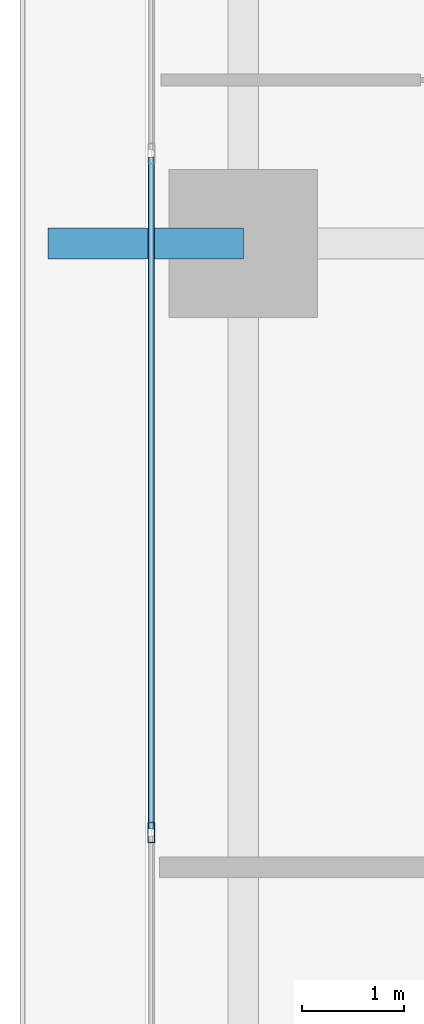
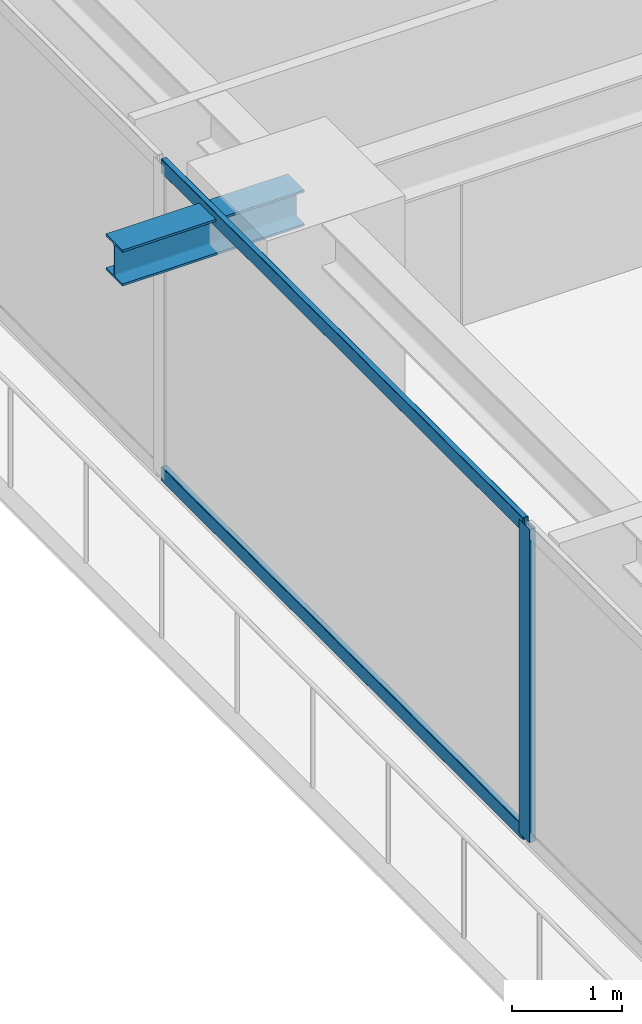
# One storey, part 7 of 39: 3 members, 1 beam, 1 element without a shape of its own.
"""IFC4 building model written with IfcOpenShell, lengths in metres."""

from ifc_helpers import new_model, si_unit, direction, frame, origin, origin_2d, place, context, subcontext, project, spatial, hollow_rectangle, i_section, extrude, source, transform, mapped, material, layer, layer_set, material_profile, profile_set, type_object, element, aggregate, save


model = new_model("IFC4")

# Units and contexts
model_context = context("Model", 3, precision=1e-05, world=origin(), true_north=direction((0.0, 1.0)))
body_context = subcontext(model_context, "Body", "Model", "MODEL_VIEW")
ifc_project = project(units=[si_unit("LENGTHUNIT", "METRE"), si_unit("AREAUNIT", "SQUARE_METRE"), si_unit("VOLUMEUNIT", "CUBIC_METRE"), si_unit("PLANEANGLEUNIT", "RADIAN"), si_unit("MASSUNIT", "GRAM", prefix="KILO")], contexts=[model_context])

# Site, building, storey
site_placement = place(None, origin())
site = spatial("IfcSite", under=ifc_project, at=site_placement, CompositionType="ELEMENT")
building_placement = place(site_placement, origin())
building = spatial("IfcBuilding", under=site, at=building_placement, Name="Serunith Strait Residences", CompositionType="ELEMENT")
storey_placement = place(building_placement, frame((0.0, 0.0, 49.199951171875)))
storey = spatial("IfcBuildingStorey", under=building, at=storey_placement, Name="L11", CompositionType="ELEMENT", Elevation=49.199951171875)

# Beam
ifc_material_1 = material(Name="Steel S355J2", Category="steel")
ifc_material_profile_1 = material_profile(ifc_material_1, i_section(OverallWidth=0.300048828125, OverallDepth=0.39990234375, WebThickness=0.013427734375, FlangeThickness=0.02392578125, FilletRadius=0.027099609375, at=origin_2d()), Name="HEB 400")
ifc_profile_set_1 = profile_set([ifc_material_profile_1], Name="Steel S355J2")
beam_type = type_object("IfcBeamType", Name="BM-HEB400", PredefinedType="BEAM", material=ifc_profile_set_1)
shared_shape_1 = source(origin(), body_context, "Body", "SweptSolid", [
    extrude(i_section(OverallWidth=0.300048828125, OverallDepth=0.39990234375, WebThickness=0.013427734375, FlangeThickness=0.02392578125, FilletRadius=0.027099609375, at=origin_2d()), origin(), (0.0, 0.0, 1.0), 1.909912109375),
])
beam_placement = place(storey_placement, frame((6.89990234375, 21.0, 3.257080078125), z_axis=(-1.0, 0.0, 0.0), x_axis=(0.0, -1.0, 0.0)))
element("IfcBeam", 1, at=beam_placement, inside=storey, type_object=beam_type, Name="L12 Cantilevered Balcony Rib TC-W2", PredefinedType="BEAM", context=body_context, shape_type="MappedRepresentation", body=[
    mapped(shared_shape_1, transform((0.0, 0.0, 0.0), scale=1.0)),
])

# Curtain wall, members
ifc_material_2 = material(Name="Pale-Champagne Anodised Aluminium", Category="aluminium")
ifc_layer = layer(ifc_material_2, 0.199951171875, Name="Pale-Champagne Anodised Aluminium")
ifc_layer_set = layer_set([ifc_layer], Name="Pale-Champagne Anodised Aluminium")
curtain_wall_type = type_object("IfcCurtainWallType", Name="CW-SYS1", PredefinedType="NOTDEFINED", material=ifc_layer_set)
curtain_wall_placement = place(storey_placement, origin())
curtain_wall = element("IfcCurtainWall", 2, at=curtain_wall_placement, inside=storey, type_object=curtain_wall_type, Name="L11 W Unitised Fritted Curtain Wall", PredefinedType="NOTDEFINED")
ifc_material_profile_2 = material_profile(ifc_material_2, hollow_rectangle(XDim=0.070068359375, YDim=0.199951171875, WallThickness=0.00390625, InnerFilletRadius=0.006103515625, OuterFilletRadius=0.010009765625, at=origin_2d()), Name="ALU 200x70x4")
ifc_profile_set_2 = profile_set([ifc_material_profile_2], Name="Pale-Champagne Anodised Aluminium")
member_type_1 = type_object("IfcMemberType", Name="CW-SYS1-MULL", PredefinedType="MULLION", material=ifc_profile_set_2)
shared_shape_2 = source(origin(), body_context, "Body", "SweptSolid", [
    extrude(hollow_rectangle(XDim=0.070068359375, YDim=0.199951171875, WallThickness=0.00390625, InnerFilletRadius=0.006103515625, OuterFilletRadius=0.010009765625, at=origin_2d()), origin(), (0.0, 0.0, 1.0), 3.47509765625),
])
member_1_placement = place(storey_placement, frame((6.0, 15.239990234375, 0.0), z_axis=(0.0, 0.0, 1.0), x_axis=(1.0, 0.0, 0.0)))
member_1 = element("IfcMember", 3, at=member_1_placement, type_object=member_type_1, Name="CW-1 mullion 5", PredefinedType="MULLION", context=body_context, shape_type="MappedRepresentation", body=[
    mapped(shared_shape_2, transform((0.0, 0.0, 0.0), scale=1.0)),
])
ifc_material_profile_3 = material_profile(ifc_material_2, hollow_rectangle(XDim=0.06005859375, YDim=0.159912109375, WallThickness=0.00341796875, InnerFilletRadius=0.00537109375, OuterFilletRadius=0.0087890625, at=origin_2d()), Name="ALU 160x60x3.5")
ifc_profile_set_3 = profile_set([ifc_material_profile_3], Name="Pale-Champagne Anodised Aluminium")
member_type_2 = type_object("IfcMemberType", Name="CW-SYS1-TRAN", PredefinedType="USERDEFINED", material=ifc_profile_set_3)
shared_shape_3 = source(origin(), body_context, "Body", "SweptSolid", [
    extrude(hollow_rectangle(XDim=0.06005859375, YDim=0.159912109375, WallThickness=0.00341796875, InnerFilletRadius=0.00537109375, OuterFilletRadius=0.0087890625, at=origin_2d()), origin(), (0.0, 0.0, 1.0), 6.570068359375),
])
member_2_placement = place(storey_placement, frame((6.0, 21.844970703125, 0.030029296875), z_axis=(0.0, -1.0, 0.0), x_axis=(1.0, 0.0, 0.0)))
member_2 = element("IfcMember", 4, at=member_2_placement, type_object=member_type_2, Name="CW-1 transom 4.1", ObjectType="TRANSOM", PredefinedType="USERDEFINED", context=body_context, shape_type="MappedRepresentation", body=[
    mapped(shared_shape_3, transform((0.0, 0.0, 0.0), scale=1.0)),
])
member_3_placement = place(storey_placement, frame((6.0, 21.844970703125, 3.445068359375), z_axis=(0.0, -1.0, 0.0), x_axis=(1.0, 0.0, 0.0)))
member_3 = element("IfcMember", 5, at=member_3_placement, type_object=member_type_2, Name="CW-1 transom 4.2", ObjectType="TRANSOM", PredefinedType="USERDEFINED", context=body_context, shape_type="MappedRepresentation", body=[
    mapped(shared_shape_3, transform((0.0, 0.0, 0.0), scale=1.0)),
])
aggregate(curtain_wall, [member_1, member_2, member_3])

save(model, "model.ifc")
